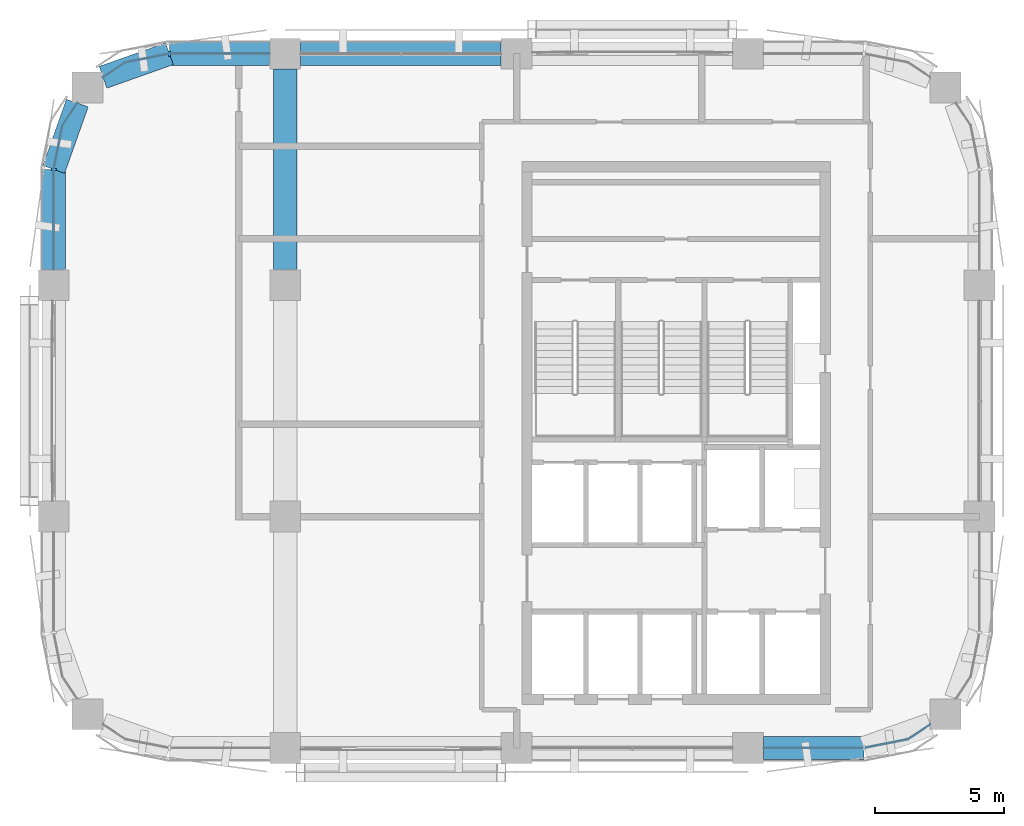
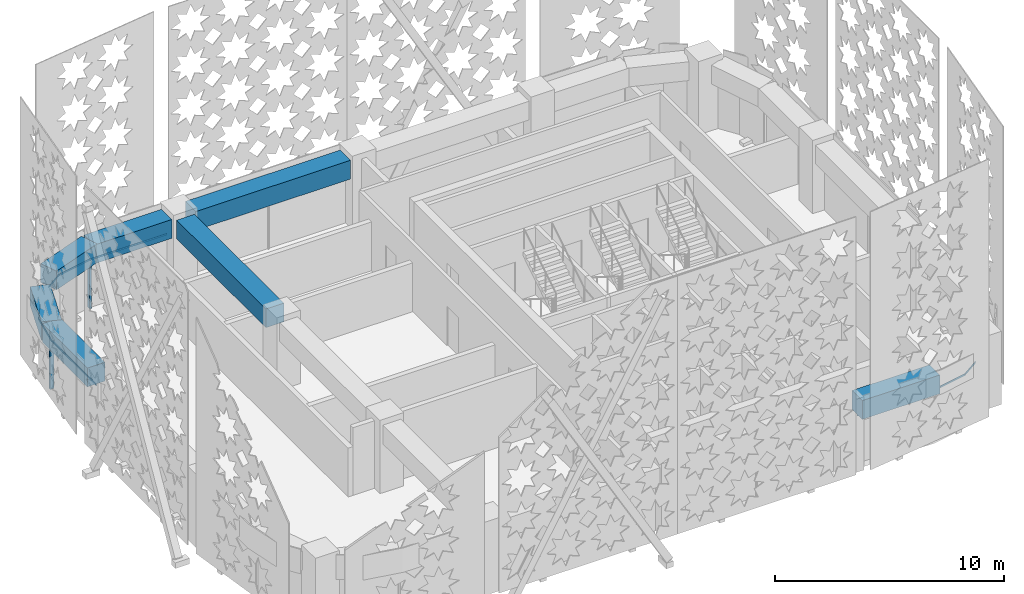
# One storey, part 3 of 17: 7 beams, 5 members, 3 elements without a shape of their own.
"""IFC4 building model written with IfcOpenShell, lengths in metres."""

from ifc_helpers import new_model, si_unit, direction, frame, origin, origin_2d, place, context, subcontext, project, spatial, polyline, rectangle, outline, extrude, material, material_profile, profile_set, type_object, element, aggregate, save


model = new_model("IFC4")

# Units and contexts
model_context = context("Model", 3, precision=1e-05, world=origin(), true_north=direction((0.0, 1.0)))
body_context = subcontext(model_context, "Body", "Model", "MODEL_VIEW")
ifc_project = project(units=[si_unit("LENGTHUNIT", "METRE"), si_unit("AREAUNIT", "SQUARE_METRE"), si_unit("VOLUMEUNIT", "CUBIC_METRE"), si_unit("PLANEANGLEUNIT", "RADIAN"), si_unit("MASSUNIT", "GRAM", prefix="KILO")], contexts=[model_context])

# Site, building, storey
site_placement = place(None, origin())
site = spatial("IfcSite", under=ifc_project, at=site_placement, CompositionType="ELEMENT")
building_placement = place(site_placement, origin())
building = spatial("IfcBuilding", under=site, at=building_placement, Name="Tessera Arch", CompositionType="ELEMENT")
storey_placement = place(building_placement, frame((0.0, 0.0, 281.300048828125)))
storey = spatial("IfcBuildingStorey", under=building, at=storey_placement, Name="L68", CompositionType="ELEMENT", Elevation=281.300048828125)

# Curtain wall, member
ifc_material_1 = material(Name="CW2 curtain wall")
curtain_wall_type = type_object("IfcCurtainWallType", Name="CW2 curtain wall", PredefinedType="NOTDEFINED", material=ifc_material_1)
curtain_wall_1_placement = place(storey_placement, origin())
curtain_wall_1 = element("IfcCurtainWall", 1, at=curtain_wall_1_placement, inside=storey, type_object=curtain_wall_type, Name="CW2 curtain wall N54.18/3 L68", PredefinedType="NOTDEFINED")
ifc_material_2 = material(Name="Anodised aluminium pale metal", Category="aluminium")
ifc_material_profile_1 = material_profile(ifc_material_2, rectangle(XDim=0.199951171875, YDim=0.080078125, at=origin_2d()), Name="AL 80x200")
ifc_profile_set_1 = profile_set([ifc_material_profile_1], Name="Anodised aluminium pale metal")
member_type_1 = type_object("IfcMemberType", Name="CW2 mullion", PredefinedType="MULLION", material=ifc_profile_set_1)
member_1_placement = place(storey_placement, frame((22.5, 54.0, 0.0), z_axis=(0.0, 0.0, 1.0), x_axis=(0.0, -1.0, 0.0)))
member_1 = element("IfcMember", 2, at=member_1_placement, type_object=member_type_1, Name="CW2 mullion N54.18/3 1", PredefinedType="MULLION", context=body_context, shape_type="SweptSolid", body=[
    extrude(rectangle(XDim=0.199951171875, YDim=0.080078125, at=origin_2d()), origin(), (0.0, 0.0, 1.0), 2.5),
])

curtain_wall_2_placement = place(storey_placement, origin())
curtain_wall_2 = element("IfcCurtainWall", 3, at=curtain_wall_2_placement, inside=storey, type_object=curtain_wall_type, Name="CW2 curtain wall W18.27/0 L68", PredefinedType="NOTDEFINED")
member_2_placement = place(storey_placement, frame((18.0, 49.5, 0.0), z_axis=(0.0, 0.0, 1.0), x_axis=(1.0, 0.0, 0.0)))
member_2 = element("IfcMember", 4, at=member_2_placement, type_object=member_type_1, Name="CW2 mullion W18.27/0 1", PredefinedType="MULLION", context=body_context, shape_type="SweptSolid", body=[
    extrude(rectangle(XDim=0.199951171875, YDim=0.080078125, at=origin_2d()), origin(), (0.0, 0.0, 1.0), 2.5),
])

# Member
ifc_material_3 = material(Name="Anodised aluminium pale metal", Category="aluminium")
ifc_material_profile_2 = material_profile(ifc_material_3, rectangle(XDim=0.199951171875, YDim=0.10009765625, at=origin_2d()), Name="AL 200x100")
ifc_profile_set_2 = profile_set([ifc_material_profile_2], Name="Anodised aluminium pale metal")
member_type_2 = type_object("IfcMemberType", Name="CW2 transom", PredefinedType="USERDEFINED", material=ifc_profile_set_2)
member_3_placement = place(storey_placement, frame((0.0, 0.0, 2.5)))
member_3 = element("IfcMember", 5, at=member_3_placement, type_object=member_type_2, Name="CW2 transom N54.18/3 1", ObjectType="TRANSOM", PredefinedType="USERDEFINED", context=body_context, shape_type="SweptSolid", body=[
    extrude(outline(polyline([(22.5009765625, 53.989990234375), (26.39990234375, 53.989990234375), (26.39990234375, 54.010009765625), (22.4990234375, 54.010009765625), (20.77392578125, 53.6669921875), (19.912353515625, 53.09130859375), (19.923583984375, 53.07470703125), (20.78173828125, 53.648193359375), (22.5009765625, 53.989990234375)])), origin(), (0.0, 0.0, 1.0), 0.099853515625),
])

aggregate(curtain_wall_1, [member_1, member_3])

member_4_placement = place(storey_placement, frame((0.0, 0.0, 2.5)))
member_4 = element("IfcMember", 6, at=member_4_placement, type_object=member_type_2, Name="CW2 transom W18.27/0 1", ObjectType="TRANSOM", PredefinedType="USERDEFINED", context=body_context, shape_type="SweptSolid", body=[
    extrude(outline(polyline([(18.351806640625, 51.21826171875), (18.92529296875, 52.076416015625), (18.90869140625, 52.087646484375), (18.3330078125, 51.22607421875), (17.989990234375, 49.5009765625), (17.989990234375, 45.60009765625), (18.010009765625, 45.60009765625), (18.010009765625, 49.4990234375), (18.351806640625, 51.21826171875)])), origin(), (0.0, 0.0, 1.0), 0.099853515625),
])

aggregate(curtain_wall_2, [member_2, member_4])

# Curtain wall, member
curtain_wall_3_placement = place(storey_placement, origin())
curtain_wall_3 = element("IfcCurtainWall", 7, at=curtain_wall_3_placement, inside=storey, type_object=curtain_wall_type, Name="CW2 curtain wall S27.18/3 L68", PredefinedType="NOTDEFINED")
member_5_placement = place(storey_placement, frame((0.0, 0.0, 2.5)))
member_5 = element("IfcMember", 8, at=member_5_placement, type_object=member_type_2, Name="CW2 transom S27.18/3 1", ObjectType="TRANSOM", PredefinedType="USERDEFINED", context=body_context, shape_type="SweptSolid", body=[
    extrude(outline(polyline([(49.4990234375, 27.010009765625), (45.60009765625, 27.010009765625), (45.60009765625, 26.989990234375), (49.5009765625, 26.989990234375), (51.22607421875, 27.3330078125), (52.087646484375, 27.90869140625), (52.076416015625, 27.92529296875), (51.21826171875, 27.351806640625), (49.4990234375, 27.010009765625)])), origin(), (0.0, 0.0, 1.0), 0.099853515625),
])
aggregate(curtain_wall_3, [member_5])

# Beams
ifc_material_4 = material(Name="Concrete C60/75", Category="concrete")
ifc_material_profile_3 = material_profile(ifc_material_4, rectangle(XDim=0.89990234375, YDim=1.0, at=origin_2d()), Name="RC spandrel beam 900 x 1000 Concrete C60/75")
ifc_profile_set_3 = profile_set([ifc_material_profile_3], Name="Concrete C60/75")
beam_type = type_object("IfcBeamType", Name="RC spandrel beam 900 x 1000 Concrete C60/75", PredefinedType="BEAM", material=ifc_profile_set_3)
beam_1_placement = place(storey_placement, frame((35.39990234375, 54.0, 3.099853515625), z_axis=(-1.0, 0.0, 0.0), x_axis=(0.0, -1.0, 0.0)))
element("IfcBeam", 9, at=beam_1_placement, inside=storey, type_object=beam_type, Name="Spandrel beam L68 N54.18/2", PredefinedType="BEAM", context=body_context, shape_type="SweptSolid", body=[
    extrude(rectangle(XDim=0.89990234375, YDim=1.0, at=origin_2d()), origin(), (0.0, 0.0, 1.0), 7.7998046875),
])
beam_2_placement = place(storey_placement, frame((26.39990234375, 54.0, 3.099853515625), z_axis=(-1.0, 0.0, 0.0), x_axis=(0.0, -1.0, 0.0)))
element("IfcBeam", 10, at=beam_2_placement, inside=storey, type_object=beam_type, Name="Spandrel beam L68 N54.18/3.1", PredefinedType="BEAM", context=body_context, shape_type="SweptSolid", body=[
    extrude(rectangle(XDim=0.89990234375, YDim=1.0, at=origin_2d()), origin(), (0.0, 0.0, 1.0), 3.89990234375),
])
for number, where, z_axis, x_axis, name in (
    (11, (22.5, 54.0, 3.099853515625), (-0.942337127159, -0.334665114373, 0.0), (0.334665114373, -0.942337127159, 0.0), "Spandrel beam L68 N54.18/3.2"),
    (12, (18.9169921875, 52.08203125, 3.099853515625), (-0.334665114373, -0.942337127159, 0.0), (0.942337127159, -0.334665114373, 0.0), "Spandrel beam L68 W18.27/0.1"),
):
    element("IfcBeam", number, at=place(storey_placement, frame(where, z_axis=z_axis, x_axis=x_axis)), inside=storey, type_object=beam_type, Name=name, PredefinedType="BEAM", context=body_context, shape_type="SweptSolid", body=[
        extrude(rectangle(XDim=0.89990234375, YDim=1.0, at=origin_2d()), origin(), (0.0, 0.0, 1.0), 2.739990234375),
    ])
for number, where, z_axis, x_axis, name in (
    (13, (18.0, 49.5, 3.099853515625), (0.0, -1.0, 0.0), (1.0, 0.0, 0.0), "Spandrel beam L68 W18.27/0.2"),
    (14, (45.60009765625, 27.0, 3.099853515625), (1.0, 0.0, 0.0), (0.0, 1.0, 0.0), "Spandrel beam L68 S27.18/3.1"),
):
    element("IfcBeam", number, at=place(storey_placement, frame(where, z_axis=z_axis, x_axis=x_axis)), inside=storey, type_object=beam_type, Name=name, PredefinedType="BEAM", context=body_context, shape_type="SweptSolid", body=[
        extrude(rectangle(XDim=0.89990234375, YDim=1.0, at=origin_2d()), origin(), (0.0, 0.0, 1.0), 3.89990234375),
    ])
beam_3_placement = place(storey_placement, frame((27.0, 45.60009765625, 3.099853515625), z_axis=(0.0, 1.0, 0.0), x_axis=(-1.0, 0.0, 0.0)))
element("IfcBeam", 15, at=beam_3_placement, inside=storey, type_object=beam_type, Name="Interface beam L68 I0C4F-C4G", PredefinedType="BEAM", context=body_context, shape_type="SweptSolid", body=[
    extrude(rectangle(XDim=0.89990234375, YDim=1.0, at=origin_2d()), origin(), (0.0, 0.0, 1.0), 7.7998046875),
])

save(model, "model.ifc")
